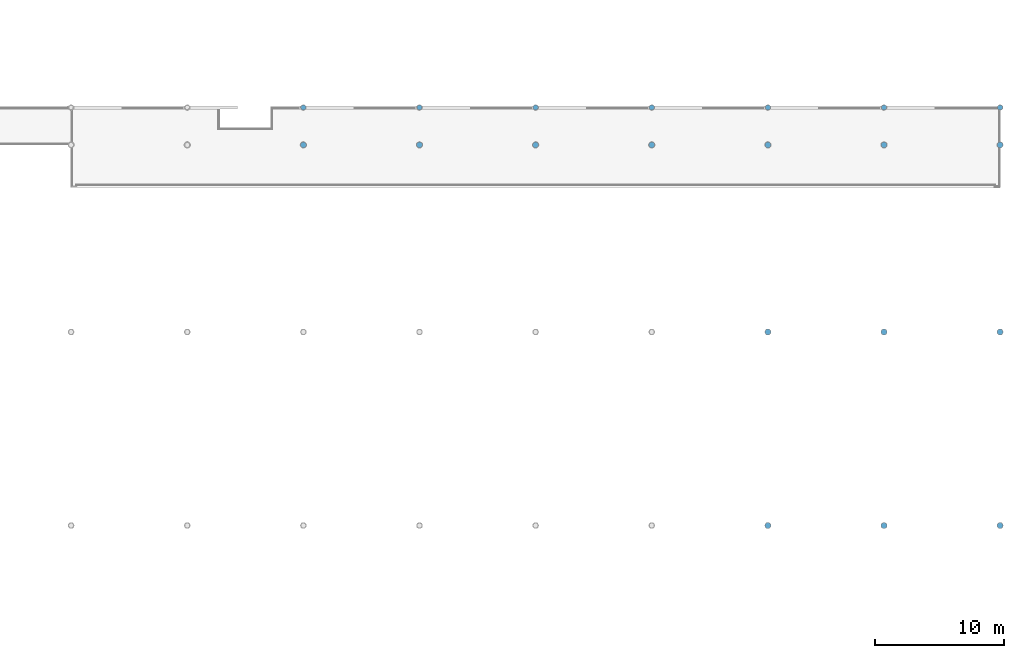
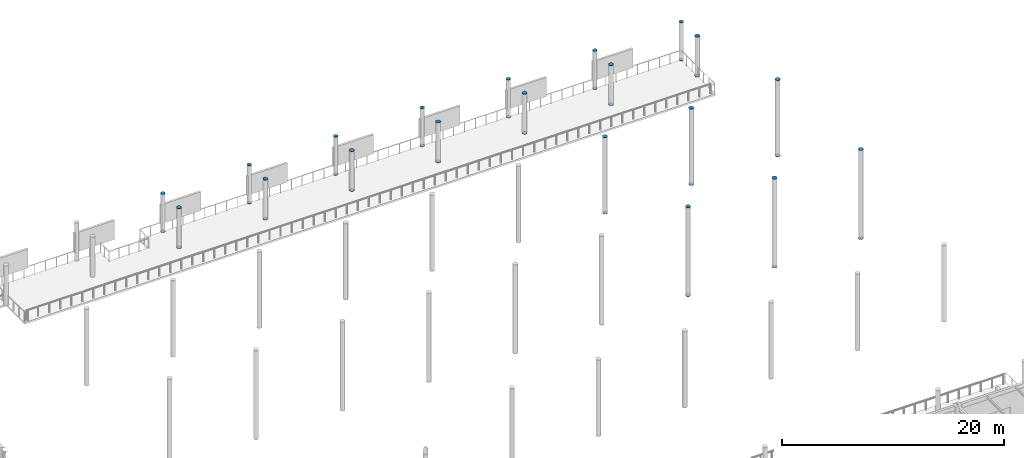
# One storey, part 113 of 143: 40 discrete accessories.
"""IFC4 building model written with IfcOpenShell, lengths in metres."""

from ifc_helpers import new_model, si_unit, direction, frame, origin, origin_2d, place, context, subcontext, project, spatial, circle, extrude, material, element, save


model = new_model("IFC4")

# Units and contexts
model_context = context("Model", 3, precision=1e-05, world=origin(), true_north=direction((0.0, 1.0)))
body_context = subcontext(model_context, "Body", "Model", "MODEL_VIEW")
ifc_project = project(units=[si_unit("LENGTHUNIT", "METRE"), si_unit("AREAUNIT", "SQUARE_METRE"), si_unit("VOLUMEUNIT", "CUBIC_METRE"), si_unit("PLANEANGLEUNIT", "RADIAN"), si_unit("MASSUNIT", "GRAM", prefix="KILO")], contexts=[model_context])

# Site, building, storey
site_placement = place(None, origin())
site = spatial("IfcSite", under=ifc_project, at=site_placement, CompositionType="ELEMENT")
building_placement = place(site_placement, origin())
building = spatial("IfcBuilding", under=site, at=building_placement, Name="Marlcrest Central Station", CompositionType="ELEMENT")
storey_placement = place(building_placement, frame((0.0, 0.0, 4.800048828125)))
storey = spatial("IfcBuildingStorey", under=building, at=storey_placement, Name="L01", CompositionType="ELEMENT", Elevation=4.800048828125)

# Discrete accessories
ifc_material = material(Name="Steel S355", Category="steel")
for number, where, z_axis, x_axis, name in (
    (1, (162.0, 98.39990234375, -0.014892578125), (0.0, 0.0, 1.0), (1.0, 0.0, 0.0), "endcap-col-SC-10-L01-0505-s"),
    (2, (162.0, 98.39990234375, 4.175048828125), (0.0, 0.0, 1.0), (1.0, 0.0, 0.0), "endcap-col-SC-10-L01-0505-e"),
    (3, (171.0, 98.39990234375, -0.014892578125), (0.0, 0.0, 1.0), (1.0, 0.0, 0.0), "endcap-col-SC-10-L01-0506-s"),
    (4, (171.0, 98.39990234375, 4.175048828125), (0.0, 0.0, 1.0), (1.0, 0.0, 0.0), "endcap-col-SC-10-L01-0506-e"),
    (5, (180.0, 98.39990234375, -0.014892578125), (0.0, 0.0, 1.0), (1.0, 0.0, 0.0), "endcap-col-SC-10-L01-0507-s"),
    (6, (180.0, 98.39990234375, 4.175048828125), (0.0, 0.0, 1.0), (1.0, 0.0, 0.0), "endcap-col-SC-10-L01-0507-e"),
    (7, (189.0, 98.39990234375, -0.014892578125), (0.0, 0.0, 1.0), (1.0, 0.0, 0.0), "endcap-col-SC-10-L01-0508-s"),
    (8, (189.0, 98.39990234375, 4.175048828125), (0.0, 0.0, 1.0), (1.0, 0.0, 0.0), "endcap-col-SC-10-L01-0508-e"),
    (9, (198.0, 98.39990234375, -0.014892578125), (0.0, 0.0, 1.0), (1.0, 0.0, 0.0), "endcap-col-SC-10-L01-0509-s"),
    (10, (198.0, 98.39990234375, 4.175048828125), (0.0, 0.0, 1.0), (1.0, 0.0, 0.0), "endcap-col-SC-10-L01-0509-e"),
    (11, (207.0, 98.39990234375, -0.014892578125), (0.0, 0.0, 1.0), (1.0, 0.0, 0.0), "endcap-col-SC-10-L01-0510-s"),
    (12, (207.0, 98.39990234375, 4.175048828125), (0.0, 0.0, 1.0), (1.0, 0.0, 0.0), "endcap-col-SC-10-L01-0510-e"),
    (13, (216.0, 98.39990234375, -0.014892578125), (0.0, 0.0, 1.0), (1.0, 0.0, 0.0), "endcap-col-SC-10-L01-0511-s"),
    (14, (216.0, 98.39990234375, 4.175048828125), (0.0, 0.0, 1.0), (1.0, 0.0, 0.0), "endcap-col-SC-10-L01-0511-e"),
):
    element("IfcDiscreteAccessory", number, at=place(storey_placement, frame(where, z_axis=z_axis, x_axis=x_axis)), inside=storey, material=ifc_material, Name=name, ObjectType="END_CAP_PLATE", PredefinedType="BRACKET", context=body_context, shape_type="SweptSolid", body=[
        extrude(circle(Radius=0.211181640625, at=origin_2d()), origin(), (0.0, 0.0, 1.0), 0.0400390625),
    ])
for number, where, z_axis, x_axis, name in (
    (15, (162.0, 95.5, -0.014892578125), (0.0, 0.0, 1.0), (1.0, 0.0, 0.0), "endcap-col-SC-11-L01-0543-s"),
    (16, (162.0, 95.5, 4.375), (0.0, 0.0, 1.0), (1.0, 0.0, 0.0), "endcap-col-SC-11-L01-0543-e"),
    (17, (171.0, 95.5, -0.014892578125), (0.0, 0.0, 1.0), (1.0, 0.0, 0.0), "endcap-col-SC-11-L01-0554-s"),
    (18, (171.0, 95.5, 4.375), (0.0, 0.0, 1.0), (1.0, 0.0, 0.0), "endcap-col-SC-11-L01-0554-e"),
    (19, (180.0, 95.5, -0.014892578125), (0.0, 0.0, 1.0), (1.0, 0.0, 0.0), "endcap-col-SC-11-L01-0565-s"),
    (20, (180.0, 95.5, 4.375), (0.0, 0.0, 1.0), (1.0, 0.0, 0.0), "endcap-col-SC-11-L01-0565-e"),
    (21, (189.0, 95.5, -0.014892578125), (0.0, 0.0, 1.0), (1.0, 0.0, 0.0), "endcap-col-SC-11-L01-0576-s"),
    (22, (189.0, 95.5, 4.375), (0.0, 0.0, 1.0), (1.0, 0.0, 0.0), "endcap-col-SC-11-L01-0576-e"),
    (23, (198.0, 66.0, -0.014892578125), (0.0, 0.0, 1.0), (1.0, 0.0, 0.0), "endcap-col-SC-11-L01-0583-s"),
    (24, (198.0, 66.0, 9.775146484375), (0.0, 0.0, 1.0), (1.0, 0.0, 0.0), "endcap-col-SC-11-L01-0583-e"),
    (25, (198.0, 81.0, -0.014892578125), (0.0, 0.0, 1.0), (1.0, 0.0, 0.0), "endcap-col-SC-11-L01-0585-s"),
    (26, (198.0, 81.0, 8.37890625), (0.0, 0.0, 1.0), (1.0, 0.0, 0.0), "endcap-col-SC-11-L01-0585-e"),
    (27, (198.0, 95.5, -0.014892578125), (0.0, 0.0, 1.0), (1.0, 0.0, 0.0), "endcap-col-SC-11-L01-0587-s"),
    (28, (198.0, 95.5, 4.375), (0.0, 0.0, 1.0), (1.0, 0.0, 0.0), "endcap-col-SC-11-L01-0587-e"),
    (29, (207.0, 66.0, -0.014892578125), (0.0, 0.0, 1.0), (1.0, 0.0, 0.0), "endcap-col-SC-11-L01-0594-s"),
    (30, (207.0, 66.0, 9.775146484375), (0.0, 0.0, 1.0), (1.0, 0.0, 0.0), "endcap-col-SC-11-L01-0594-e"),
    (31, (207.0, 81.0, -0.014892578125), (0.0, 0.0, 1.0), (1.0, 0.0, 0.0), "endcap-col-SC-11-L01-0596-s"),
    (32, (207.0, 81.0, 8.37890625), (0.0, 0.0, 1.0), (1.0, 0.0, 0.0), "endcap-col-SC-11-L01-0596-e"),
    (33, (207.0, 95.5, -0.014892578125), (0.0, 0.0, 1.0), (1.0, 0.0, 0.0), "endcap-col-SC-11-L01-0598-s"),
    (34, (207.0, 95.5, 4.375), (0.0, 0.0, 1.0), (1.0, 0.0, 0.0), "endcap-col-SC-11-L01-0598-e"),
    (35, (216.0, 66.0, -0.014892578125), (0.0, 0.0, 1.0), (1.0, 0.0, 0.0), "endcap-col-SC-11-L01-0605-s"),
    (36, (216.0, 66.0, 9.775146484375), (0.0, 0.0, 1.0), (1.0, 0.0, 0.0), "endcap-col-SC-11-L01-0605-e"),
    (37, (216.0, 81.0, -0.014892578125), (0.0, 0.0, 1.0), (1.0, 0.0, 0.0), "endcap-col-SC-11-L01-0607-s"),
    (38, (216.0, 81.0, 8.37890625), (0.0, 0.0, 1.0), (1.0, 0.0, 0.0), "endcap-col-SC-11-L01-0607-e"),
    (39, (216.0, 95.5, -0.014892578125), (0.0, 0.0, 1.0), (1.0, 0.0, 0.0), "endcap-col-SC-11-L01-0609-s"),
    (40, (216.0, 95.5, 4.375), (0.0, 0.0, 1.0), (1.0, 0.0, 0.0), "endcap-col-SC-11-L01-0609-e"),
):
    element("IfcDiscreteAccessory", number, at=place(storey_placement, frame(where, z_axis=z_axis, x_axis=x_axis)), inside=storey, material=ifc_material, Name=name, ObjectType="END_CAP_PLATE", PredefinedType="BRACKET", context=body_context, shape_type="SweptSolid", body=[
        extrude(circle(Radius=0.236572265625, at=origin_2d()), origin(), (0.0, 0.0, 1.0), 0.0400390625),
    ])

save(model, "model.ifc")
